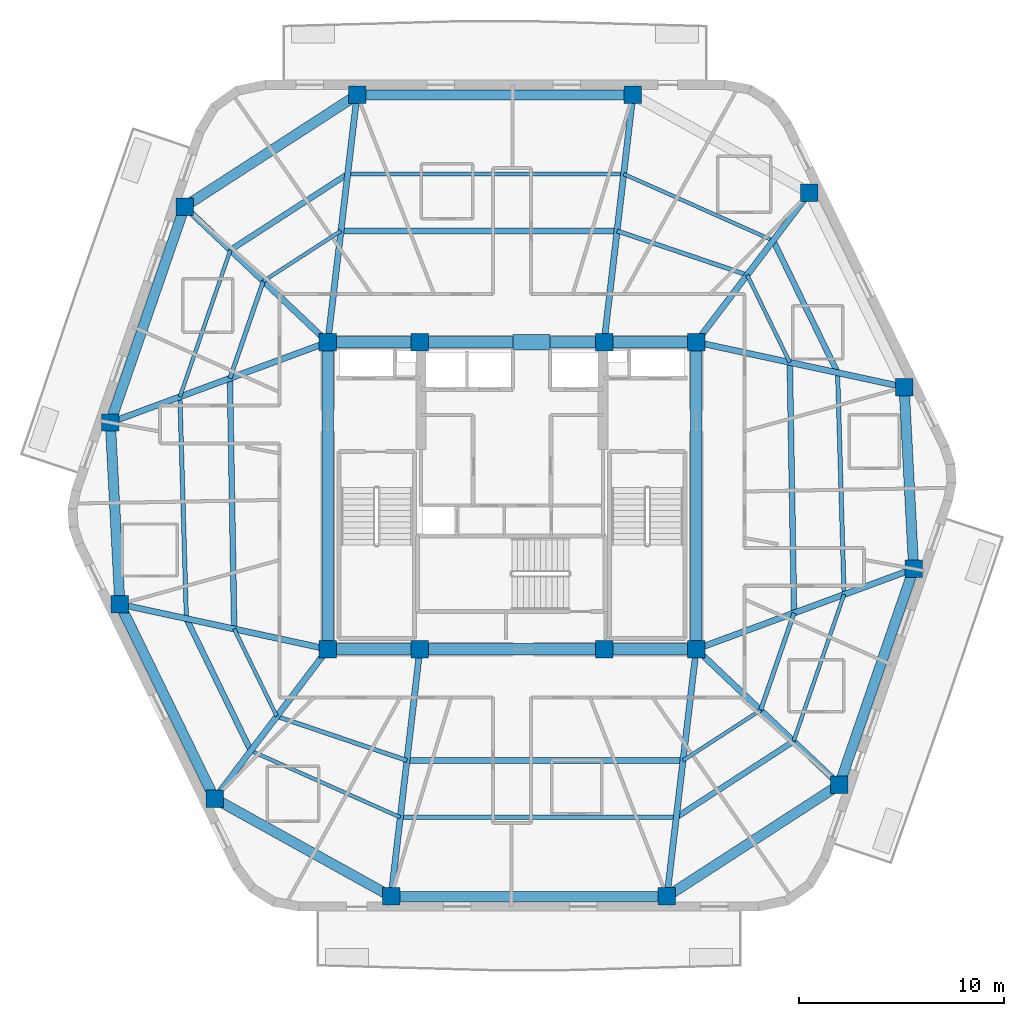
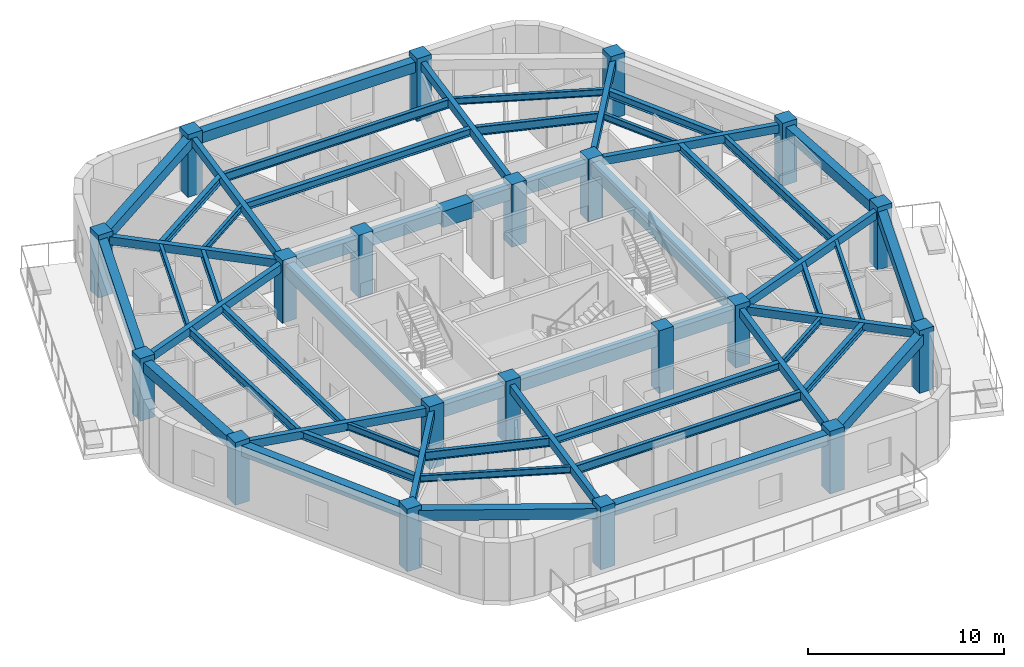
# One storey, part 1 of 9: 55 beams, 20 columns.
"""IFC4 building model written with IfcOpenShell, lengths in metres."""

from ifc_helpers import new_model, si_unit, direction, frame, origin, origin_2d, place, context, subcontext, project, spatial, rectangle, i_section, extrude, material, material_profile, profile_set, type_object, element, save


model = new_model("IFC4")

# Units and contexts
model_context = context("Model", 3, precision=1e-05, world=origin(), true_north=direction((0.0, 1.0)))
body_context = subcontext(model_context, "Body", "Model", "MODEL_VIEW")
ifc_project = project(units=[si_unit("LENGTHUNIT", "METRE"), si_unit("AREAUNIT", "SQUARE_METRE"), si_unit("VOLUMEUNIT", "CUBIC_METRE"), si_unit("PLANEANGLEUNIT", "RADIAN"), si_unit("MASSUNIT", "GRAM", prefix="KILO")], contexts=[model_context])

# Site, building, storey
site_placement = place(None, origin())
site = spatial("IfcSite", under=ifc_project, at=site_placement, CompositionType="ELEMENT")
building_placement = place(site_placement, origin())
building = spatial("IfcBuilding", under=site, at=building_placement, Name="Kilnhurst Terrace Hotel", CompositionType="ELEMENT")
storey_placement = place(building_placement, frame((0.0, 0.0, 261.300048828125)))
storey = spatial("IfcBuildingStorey", under=building, at=storey_placement, Name="L65", CompositionType="ELEMENT", Elevation=261.300048828125)

# Columns
ifc_material_1 = material(Name="Concrete C60/75", Category="concrete")
ifc_material_profile_1 = material_profile(ifc_material_1, rectangle(XDim=0.85009765625, YDim=0.85009765625, at=origin_2d()), Name="RC850X850")
ifc_profile_set_1 = profile_set([ifc_material_profile_1], Name="Concrete C60/75")
column_type = type_object("IfcColumnType", Name="COL-RC-850", PredefinedType="COLUMN", material=ifc_profile_set_1)
for number, where, z_axis, x_axis, name in (
    (1, (-9.0, -7.5, 0.0), (0.0, 0.0, 1.0), (1.0, 0.0, 0.0), "L65 Structural Column CC-SW"),
    (2, (-4.5, -7.5, 0.0), (0.0, 0.0, 1.0), (1.0, 0.0, 0.0), "L65 Structural Column CC-SC1"),
    (3, (4.5, -7.5, 0.0), (0.0, 0.0, 1.0), (1.0, 0.0, 0.0), "L65 Structural Column CC-SC2"),
    (4, (9.0, -7.5, 0.0), (0.0, 0.0, 1.0), (1.0, 0.0, 0.0), "L65 Structural Column CC-SE"),
    (5, (9.0, 7.5, 0.0), (0.0, 0.0, 1.0), (1.0, 0.0, 0.0), "L65 Structural Column CC-NE"),
    (6, (4.5, 7.5, 0.0), (0.0, 0.0, 1.0), (1.0, 0.0, 0.0), "L65 Structural Column CC-NC2"),
    (7, (-4.5, 7.5, 0.0), (0.0, 0.0, 1.0), (1.0, 0.0, 0.0), "L65 Structural Column CC-NC1"),
    (8, (-9.0, 7.5, 0.0), (0.0, 0.0, 1.0), (1.0, 0.0, 0.0), "L65 Structural Column CC-NW"),
    (9, (-5.907958984375, -19.580078125, 0.0), (0.0, 0.0, 1.0), (1.0, 0.0, 0.0), "L65 Structural Column PC-F11"),
    (10, (7.569091796875, -19.580078125, 0.0), (0.0, 0.0, 1.0), (1.0, 0.0, 0.0), "L65 Structural Column PC-F12"),
    (11, (15.9951171875, -14.12109375, 0.0), (0.0, 0.0, 1.0), (1.0, 0.0, 0.0), "L65 Structural Column PC-F21"),
    (12, (19.6240234375, -3.573974609375, 0.0), (0.0, 0.0, 1.0), (1.0, 0.0, 0.0), "L65 Structural Column PC-F22"),
    (13, (19.157958984375, 5.304931640625, 0.0), (0.0, 0.0, 1.0), (1.0, 0.0, 0.0), "L65 Structural Column PC-F31"),
    (14, (14.531005859375, 14.798095703125, 0.0), (0.0, 0.0, 1.0), (1.0, 0.0, 0.0), "L65 Structural Column PC-F32"),
    (15, (5.907958984375, 19.580078125, 0.0), (0.0, 0.0, 1.0), (1.0, 0.0, 0.0), "L65 Structural Column PC-F41"),
    (16, (-7.569091796875, 19.580078125, 0.0), (0.0, 0.0, 1.0), (1.0, 0.0, 0.0), "L65 Structural Column PC-F42"),
    (17, (-15.9951171875, 14.12109375, 0.0), (0.0, 0.0, 1.0), (1.0, 0.0, 0.0), "L65 Structural Column PC-F51"),
    (18, (-19.6240234375, 3.573974609375, 0.0), (0.0, 0.0, 1.0), (1.0, 0.0, 0.0), "L65 Structural Column PC-F52"),
    (19, (-19.157958984375, -5.304931640625, 0.0), (0.0, 0.0, 1.0), (1.0, 0.0, 0.0), "L65 Structural Column PC-F61"),
    (20, (-14.531005859375, -14.798095703125, 0.0), (0.0, 0.0, 1.0), (1.0, 0.0, 0.0), "L65 Structural Column PC-F62"),
):
    element("IfcColumn", number, at=place(storey_placement, frame(where, z_axis=z_axis, x_axis=x_axis)), inside=storey, type_object=column_type, Name=name, PredefinedType="COLUMN", context=body_context, shape_type="SweptSolid", body=[
        extrude(rectangle(XDim=0.85009765625, YDim=0.85009765625, at=origin_2d()), origin(), (0.0, 0.0, 1.0), 3.89990234375),
    ])

# Beams
ifc_material_2 = material(Name="Concrete C50/60", Category="concrete")
ifc_material_profile_2 = material_profile(ifc_material_2, rectangle(XDim=0.300048828125, YDim=0.5, at=origin_2d()), Name="RC300X500")
ifc_profile_set_2 = profile_set([ifc_material_profile_2], Name="Concrete C50/60")
beam_type_1 = type_object("IfcBeamType", Name="BM-RAD-300X500", PredefinedType="BEAM", material=ifc_profile_set_2)
beam_1_placement = place(storey_placement, frame((-4.5, -7.5, 3.349853515625), z_axis=(-0.115768472001, -0.993276225876, 0.0), x_axis=(0.993276225876, -0.115768472001, 0.0)))
element("IfcBeam", 21, at=beam_1_placement, inside=storey, type_object=beam_type_1, Name="L65 Radial Floor Beam 1", PredefinedType="BEAM", context=body_context, shape_type="SweptSolid", body=[
    extrude(rectangle(XDim=0.300048828125, YDim=0.5, at=origin_2d()), origin(), (0.0, 0.0, 1.0), 12.161865234375),
])
beam_2_placement = place(storey_placement, frame((9.0, -7.5, 3.349853515625), z_axis=(-0.117629552811, -0.993057545314, 0.0), x_axis=(0.993057545314, -0.117629552811, 0.0)))
element("IfcBeam", 22, at=beam_2_placement, inside=storey, type_object=beam_type_1, Name="L65 Radial Floor Beam 2", PredefinedType="BEAM", context=body_context, shape_type="SweptSolid", body=[
    extrude(rectangle(XDim=0.300048828125, YDim=0.5, at=origin_2d()), origin(), (0.0, 0.0, 1.0), 12.16455078125),
])
beam_3_placement = place(storey_placement, frame((9.0, -7.5, 3.349853515625), z_axis=(0.726256338973, -0.687423981326, 0.0), x_axis=(0.687423981326, 0.726256338973, 0.0)))
element("IfcBeam", 23, at=beam_3_placement, inside=storey, type_object=beam_type_1, Name="L65 Radial Floor Beam 3", PredefinedType="BEAM", context=body_context, shape_type="SweptSolid", body=[
    extrude(rectangle(XDim=0.300048828125, YDim=0.5, at=origin_2d()), origin(), (0.0, 0.0, 1.0), 9.6318359375),
])
beam_4_placement = place(storey_placement, frame((9.0, -7.5, 3.349853515625), z_axis=(0.938001507479, 0.3466311757, 0.0), x_axis=(-0.3466311757, 0.938001507479, 0.0)))
element("IfcBeam", 24, at=beam_4_placement, inside=storey, type_object=beam_type_1, Name="L65 Radial Floor Beam 4", PredefinedType="BEAM", context=body_context, shape_type="SweptSolid", body=[
    extrude(rectangle(XDim=0.300048828125, YDim=0.5, at=origin_2d()), origin(), (0.0, 0.0, 1.0), 11.326171875),
])
beam_5_placement = place(storey_placement, frame((9.0, 7.5, 3.349853515625), z_axis=(0.977438945995, -0.211218149913, 0.0), x_axis=(0.211218149913, 0.977438945995, 0.0)))
element("IfcBeam", 25, at=beam_5_placement, inside=storey, type_object=beam_type_1, Name="L65 Radial Floor Beam 5", PredefinedType="BEAM", context=body_context, shape_type="SweptSolid", body=[
    extrude(rectangle(XDim=0.300048828125, YDim=0.5, at=origin_2d()), origin(), (0.0, 0.0, 1.0), 10.392333984375),
])
beam_6_placement = place(storey_placement, frame((9.0, 7.5, 3.349853515625), z_axis=(0.604006537698, 0.79697936135, 0.0), x_axis=(-0.79697936135, 0.604006537698, 0.0)))
element("IfcBeam", 26, at=beam_6_placement, inside=storey, type_object=beam_type_1, Name="L65 Radial Floor Beam 6", PredefinedType="BEAM", context=body_context, shape_type="SweptSolid", body=[
    extrude(rectangle(XDim=0.300048828125, YDim=0.5, at=origin_2d()), origin(), (0.0, 0.0, 1.0), 9.1572265625),
])
beam_7_placement = place(storey_placement, frame((4.5, 7.5, 3.349853515625), z_axis=(0.115768472001, 0.993276225876, 0.0), x_axis=(-0.993276225876, 0.115768472001, 0.0)))
element("IfcBeam", 27, at=beam_7_placement, inside=storey, type_object=beam_type_1, Name="L65 Radial Floor Beam 7", PredefinedType="BEAM", context=body_context, shape_type="SweptSolid", body=[
    extrude(rectangle(XDim=0.300048828125, YDim=0.5, at=origin_2d()), origin(), (0.0, 0.0, 1.0), 12.161865234375),
])
beam_8_placement = place(storey_placement, frame((-9.0, 7.5, 3.349853515625), z_axis=(0.117629552811, 0.993057545314, 0.0), x_axis=(-0.993057545314, 0.117629552811, 0.0)))
element("IfcBeam", 28, at=beam_8_placement, inside=storey, type_object=beam_type_1, Name="L65 Radial Floor Beam 8", PredefinedType="BEAM", context=body_context, shape_type="SweptSolid", body=[
    extrude(rectangle(XDim=0.300048828125, YDim=0.5, at=origin_2d()), origin(), (0.0, 0.0, 1.0), 12.16455078125),
])
beam_9_placement = place(storey_placement, frame((-9.0, 7.5, 3.349853515625), z_axis=(-0.726256338973, 0.687423981326, 0.0), x_axis=(-0.687423981326, -0.726256338973, 0.0)))
element("IfcBeam", 29, at=beam_9_placement, inside=storey, type_object=beam_type_1, Name="L65 Radial Floor Beam 9", PredefinedType="BEAM", context=body_context, shape_type="SweptSolid", body=[
    extrude(rectangle(XDim=0.300048828125, YDim=0.5, at=origin_2d()), origin(), (0.0, 0.0, 1.0), 9.6318359375),
])
beam_10_placement = place(storey_placement, frame((-9.0, 7.5, 3.349853515625), z_axis=(-0.938001507479, -0.3466311757, 0.0), x_axis=(0.3466311757, -0.938001507479, 0.0)))
element("IfcBeam", 30, at=beam_10_placement, inside=storey, type_object=beam_type_1, Name="L65 Radial Floor Beam 10", PredefinedType="BEAM", context=body_context, shape_type="SweptSolid", body=[
    extrude(rectangle(XDim=0.300048828125, YDim=0.5, at=origin_2d()), origin(), (0.0, 0.0, 1.0), 11.326171875),
])
beam_11_placement = place(storey_placement, frame((-9.0, -7.5, 3.349853515625), z_axis=(-0.977438945995, 0.211218149913, 0.0), x_axis=(-0.211218149913, -0.977438945995, 0.0)))
element("IfcBeam", 31, at=beam_11_placement, inside=storey, type_object=beam_type_1, Name="L65 Radial Floor Beam 11", PredefinedType="BEAM", context=body_context, shape_type="SweptSolid", body=[
    extrude(rectangle(XDim=0.300048828125, YDim=0.5, at=origin_2d()), origin(), (0.0, 0.0, 1.0), 10.392333984375),
])
beam_12_placement = place(storey_placement, frame((-9.0, -7.5, 3.349853515625), z_axis=(-0.604006537698, -0.79697936135, 0.0), x_axis=(0.79697936135, -0.604006537698, 0.0)))
element("IfcBeam", 32, at=beam_12_placement, inside=storey, type_object=beam_type_1, Name="L65 Radial Floor Beam 12", PredefinedType="BEAM", context=body_context, shape_type="SweptSolid", body=[
    extrude(rectangle(XDim=0.300048828125, YDim=0.5, at=origin_2d()), origin(), (0.0, 0.0, 1.0), 9.1572265625),
])
ifc_material_profile_3 = material_profile(ifc_material_2, rectangle(XDim=0.5, YDim=0.64990234375, at=origin_2d()), Name="RC500X650")
ifc_profile_set_3 = profile_set([ifc_material_profile_3], Name="Concrete C50/60")
beam_type_2 = type_object("IfcBeamType", Name="BM-SPN-500X650", PredefinedType="SPANDREL", material=ifc_profile_set_3)
beam_13_placement = place(storey_placement, frame((-5.907958984375, -19.580078125, 3.27490234375), z_axis=(1.0, 0.0, 0.0), x_axis=(0.0, 1.0, 0.0)))
element("IfcBeam", 33, at=beam_13_placement, inside=storey, type_object=beam_type_2, Name="L65 Perimeter Spandrel Beam 1", PredefinedType="SPANDREL", context=body_context, shape_type="SweptSolid", body=[
    extrude(rectangle(XDim=0.5, YDim=0.64990234375, at=origin_2d()), origin(), (0.0, 0.0, 1.0), 13.47705078125),
])
beam_14_placement = place(storey_placement, frame((7.569091796875, -19.580078125, 3.27490234375), z_axis=(0.839258818809, 0.543732135386, 0.0), x_axis=(-0.543732135386, 0.839258818809, 0.0)))
element("IfcBeam", 34, at=beam_14_placement, inside=storey, type_object=beam_type_2, Name="L65 Perimeter Spandrel Beam 2", PredefinedType="SPANDREL", context=body_context, shape_type="SweptSolid", body=[
    extrude(rectangle(XDim=0.5, YDim=0.64990234375, at=origin_2d()), origin(), (0.0, 0.0, 1.0), 10.039794921875),
])
beam_15_placement = place(storey_placement, frame((15.9951171875, -14.12109375, 3.27490234375), z_axis=(0.325347079026, 0.945594669068, 0.0), x_axis=(-0.945594669068, 0.325347079026, 0.0)))
element("IfcBeam", 35, at=beam_15_placement, inside=storey, type_object=beam_type_2, Name="L65 Perimeter Spandrel Beam 3", PredefinedType="SPANDREL", context=body_context, shape_type="SweptSolid", body=[
    extrude(rectangle(XDim=0.5, YDim=0.64990234375, at=origin_2d()), origin(), (0.0, 0.0, 1.0), 11.154052734375),
])
beam_16_placement = place(storey_placement, frame((19.6240234375, -3.573974609375, 3.27490234375), z_axis=(-0.052419034962, 0.998625177318, 0.0), x_axis=(-0.998625177318, -0.052419034962, 0.0)))
element("IfcBeam", 36, at=beam_16_placement, inside=storey, type_object=beam_type_2, Name="L65 Perimeter Spandrel Beam 4", PredefinedType="SPANDREL", context=body_context, shape_type="SweptSolid", body=[
    extrude(rectangle(XDim=0.5, YDim=0.64990234375, at=origin_2d()), origin(), (0.0, 0.0, 1.0), 8.89111328125),
])
beam_17_placement = place(storey_placement, frame((5.907958984375, 19.580078125, 3.27490234375), z_axis=(-1.0, 0.0, 0.0), x_axis=(0.0, -1.0, 0.0)))
element("IfcBeam", 37, at=beam_17_placement, inside=storey, type_object=beam_type_2, Name="L65 Perimeter Spandrel Beam 7", PredefinedType="SPANDREL", context=body_context, shape_type="SweptSolid", body=[
    extrude(rectangle(XDim=0.5, YDim=0.64990234375, at=origin_2d()), origin(), (0.0, 0.0, 1.0), 13.47705078125),
])
beam_18_placement = place(storey_placement, frame((-7.569091796875, 19.580078125, 3.27490234375), z_axis=(-0.839258818809, -0.543732135386, 0.0), x_axis=(0.543732135386, -0.839258818809, 0.0)))
element("IfcBeam", 38, at=beam_18_placement, inside=storey, type_object=beam_type_2, Name="L65 Perimeter Spandrel Beam 8", PredefinedType="SPANDREL", context=body_context, shape_type="SweptSolid", body=[
    extrude(rectangle(XDim=0.5, YDim=0.64990234375, at=origin_2d()), origin(), (0.0, 0.0, 1.0), 10.039794921875),
])
beam_19_placement = place(storey_placement, frame((-15.9951171875, 14.12109375, 3.27490234375), z_axis=(-0.325347079026, -0.945594669068, 0.0), x_axis=(0.945594669068, -0.325347079026, 0.0)))
element("IfcBeam", 39, at=beam_19_placement, inside=storey, type_object=beam_type_2, Name="L65 Perimeter Spandrel Beam 9", PredefinedType="SPANDREL", context=body_context, shape_type="SweptSolid", body=[
    extrude(rectangle(XDim=0.5, YDim=0.64990234375, at=origin_2d()), origin(), (0.0, 0.0, 1.0), 11.154052734375),
])
beam_20_placement = place(storey_placement, frame((-19.6240234375, 3.573974609375, 3.27490234375), z_axis=(0.052419034962, -0.998625177318, 0.0), x_axis=(0.998625177318, 0.052419034962, 0.0)))
element("IfcBeam", 40, at=beam_20_placement, inside=storey, type_object=beam_type_2, Name="L65 Perimeter Spandrel Beam 10", PredefinedType="SPANDREL", context=body_context, shape_type="SweptSolid", body=[
    extrude(rectangle(XDim=0.5, YDim=0.64990234375, at=origin_2d()), origin(), (0.0, 0.0, 1.0), 8.89111328125),
])
beam_21_placement = place(storey_placement, frame((-19.157958984375, -5.304931640625, 3.27490234375), z_axis=(0.438128464895, -0.898912369616, 0.0), x_axis=(0.898912369616, 0.438128464895, 0.0)))
element("IfcBeam", 41, at=beam_21_placement, inside=storey, type_object=beam_type_2, Name="L65 Perimeter Spandrel Beam 11", PredefinedType="SPANDREL", context=body_context, shape_type="SweptSolid", body=[
    extrude(rectangle(XDim=0.5, YDim=0.64990234375, at=origin_2d()), origin(), (0.0, 0.0, 1.0), 10.560791015625),
])
beam_22_placement = place(storey_placement, frame((-14.531005859375, -14.798095703125, 3.27490234375), z_axis=(0.874527255888, -0.484976369227, 0.0), x_axis=(0.484976369227, 0.874527255888, 0.0)))
element("IfcBeam", 42, at=beam_22_placement, inside=storey, type_object=beam_type_2, Name="L65 Perimeter Spandrel Beam 12", PredefinedType="SPANDREL", context=body_context, shape_type="SweptSolid", body=[
    extrude(rectangle(XDim=0.5, YDim=0.64990234375, at=origin_2d()), origin(), (0.0, 0.0, 1.0), 9.8603515625),
])
ifc_material_profile_4 = material_profile(ifc_material_2, rectangle(XDim=0.550048828125, YDim=0.75, at=origin_2d()), Name="RC550X750")
ifc_profile_set_4 = profile_set([ifc_material_profile_4], Name="Concrete C50/60")
beam_type_3 = type_object("IfcBeamType", Name="BM-SPN-550X750", PredefinedType="SPANDREL", material=ifc_profile_set_4)
beam_23_placement = place(storey_placement, frame((-9.0, 7.5, 3.224853515625), z_axis=(1.0, 0.0, 0.0), x_axis=(0.0, 1.0, 0.0)))
element("IfcBeam", 43, at=beam_23_placement, inside=storey, type_object=beam_type_3, Name="L65 Core Tie Beam CC-NW to CC-NC1", PredefinedType="SPANDREL", context=body_context, shape_type="SweptSolid", body=[
    extrude(rectangle(XDim=0.550048828125, YDim=0.75, at=origin_2d()), origin(), (0.0, 0.0, 1.0), 4.5),
])
beam_24_placement = place(storey_placement, frame((-4.5, 7.5, 3.224853515625), z_axis=(1.0, 0.0, 0.0), x_axis=(0.0, 1.0, 0.0)))
element("IfcBeam", 44, at=beam_24_placement, inside=storey, type_object=beam_type_3, Name="L65 Core Tie Beam CC-NC1 to CC-NC2", PredefinedType="SPANDREL", context=body_context, shape_type="SweptSolid", body=[
    extrude(rectangle(XDim=0.550048828125, YDim=0.75, at=origin_2d()), origin(), (0.0, 0.0, 1.0), 9.0),
])
for number, where, z_axis, x_axis, name in (
    (45, (4.5, 7.5, 3.224853515625), (1.0, 0.0, 0.0), (0.0, 1.0, 0.0), "L65 Core Tie Beam CC-NC2 to CC-NE"),
    (46, (-9.0, -7.5, 3.224853515625), (1.0, 0.0, 0.0), (0.0, 1.0, 0.0), "L65 Core Tie Beam CC-SW to CC-SC1"),
):
    element("IfcBeam", number, at=place(storey_placement, frame(where, z_axis=z_axis, x_axis=x_axis)), inside=storey, type_object=beam_type_3, Name=name, PredefinedType="SPANDREL", context=body_context, shape_type="SweptSolid", body=[
        extrude(rectangle(XDim=0.550048828125, YDim=0.75, at=origin_2d()), origin(), (0.0, 0.0, 1.0), 4.5),
    ])
beam_25_placement = place(storey_placement, frame((-4.5, -7.5, 3.224853515625), z_axis=(1.0, 0.0, 0.0), x_axis=(0.0, 1.0, 0.0)))
element("IfcBeam", 47, at=beam_25_placement, inside=storey, type_object=beam_type_3, Name="L65 Core Tie Beam CC-SC1 to CC-SC2", PredefinedType="SPANDREL", context=body_context, shape_type="SweptSolid", body=[
    extrude(rectangle(XDim=0.550048828125, YDim=0.75, at=origin_2d()), origin(), (0.0, 0.0, 1.0), 9.0),
])
beam_26_placement = place(storey_placement, frame((4.5, -7.5, 3.224853515625), z_axis=(1.0, 0.0, 0.0), x_axis=(0.0, 1.0, 0.0)))
element("IfcBeam", 48, at=beam_26_placement, inside=storey, type_object=beam_type_3, Name="L65 Core Tie Beam CC-SC2 to CC-SE", PredefinedType="SPANDREL", context=body_context, shape_type="SweptSolid", body=[
    extrude(rectangle(XDim=0.550048828125, YDim=0.75, at=origin_2d()), origin(), (0.0, 0.0, 1.0), 4.5),
])
for number, where, z_axis, x_axis, name in (
    (49, (-9.0, -7.5, 3.224853515625), (0.0, 1.0, 0.0), (-1.0, 0.0, 0.0), "L65 Core Tie Beam CC-SW to CC-NW"),
    (50, (9.0, -7.5, 3.224853515625), (0.0, 1.0, 0.0), (-1.0, 0.0, 0.0), "L65 Core Tie Beam CC-SE to CC-NE"),
):
    element("IfcBeam", number, at=place(storey_placement, frame(where, z_axis=z_axis, x_axis=x_axis)), inside=storey, type_object=beam_type_3, Name=name, PredefinedType="SPANDREL", context=body_context, shape_type="SweptSolid", body=[
        extrude(rectangle(XDim=0.550048828125, YDim=0.75, at=origin_2d()), origin(), (0.0, 0.0, 1.0), 15.0),
    ])
ifc_material_3 = material(Name="Steel ASTM A992 Grade 50", Category="steel")
ifc_material_profile_5 = material_profile(ifc_material_3, i_section(OverallWidth=0.180908203125, OverallDepth=0.417236328125, WebThickness=0.010986328125, FlangeThickness=0.018310546875, at=origin_2d()), Name="W16X57")
ifc_profile_set_5 = profile_set([ifc_material_profile_5], Name="Steel ASTM A992 Grade 50")
beam_type_4 = type_object("IfcBeamType", Name="JST-STL-W16X57", PredefinedType="JOIST", material=ifc_profile_set_5)
beam_27_placement = place(storey_placement, frame((13.756591796875, -12.002197265625, 3.390869140625), z_axis=(0.325367628202, 0.945587598543, 0.0), x_axis=(-0.945587598543, 0.325367628202, 0.0)))
element("IfcBeam", 51, at=beam_27_placement, inside=storey, type_object=beam_type_4, Name="L65 Secondary Floor Steel Joist OUT.3", PredefinedType="JOIST", context=body_context, shape_type="SweptSolid", body=[
    extrude(i_section(OverallWidth=0.180908203125, OverallDepth=0.417236328125, WebThickness=0.010986328125, FlangeThickness=0.018310546875, at=origin_2d()), origin(), (0.0, 0.0, 1.0), 7.58447265625),
])
beam_28_placement = place(storey_placement, frame((12.760986328125, 12.462646484375, 3.390869140625), z_axis=(-0.913545640569, 0.406736232216, 0.0), x_axis=(-0.406736232216, -0.913545640569, 0.0)))
element("IfcBeam", 52, at=beam_28_placement, inside=storey, type_object=beam_type_4, Name="L65 Secondary Floor Steel Joist OUT.6", PredefinedType="JOIST", context=body_context, shape_type="SweptSolid", body=[
    extrude(i_section(OverallWidth=0.180908203125, OverallDepth=0.417236328125, WebThickness=0.010986328125, FlangeThickness=0.018310546875, at=origin_2d()), origin(), (0.0, 0.0, 1.0), 7.99462890625),
])
beam_29_placement = place(storey_placement, frame((-13.756591796875, 12.002197265625, 3.390869140625), z_axis=(-0.325367628202, -0.945587598543, 0.0), x_axis=(0.945587598543, -0.325367628202, 0.0)))
element("IfcBeam", 53, at=beam_29_placement, inside=storey, type_object=beam_type_4, Name="L65 Secondary Floor Steel Joist OUT.9", PredefinedType="JOIST", context=body_context, shape_type="SweptSolid", body=[
    extrude(i_section(OverallWidth=0.180908203125, OverallDepth=0.417236328125, WebThickness=0.010986328125, FlangeThickness=0.018310546875, at=origin_2d()), origin(), (0.0, 0.0, 1.0), 7.58447265625),
])
beam_30_placement = place(storey_placement, frame((-12.760986328125, -12.462646484375, 3.390869140625), z_axis=(0.913545640569, -0.406736232216, 0.0), x_axis=(0.406736232216, 0.913545640569, 0.0)))
element("IfcBeam", 54, at=beam_30_placement, inside=storey, type_object=beam_type_4, Name="L65 Secondary Floor Steel Joist OUT.12", PredefinedType="JOIST", context=body_context, shape_type="SweptSolid", body=[
    extrude(i_section(OverallWidth=0.180908203125, OverallDepth=0.417236328125, WebThickness=0.010986328125, FlangeThickness=0.018310546875, at=origin_2d()), origin(), (0.0, 0.0, 1.0), 7.99462890625),
])
beam_31_placement = place(storey_placement, frame((8.35595703125, -12.93603515625, 3.390869140625), z_axis=(0.839261215199, 0.543728436503, 0.0), x_axis=(-0.543728436503, 0.839261215199, 0.0)))
element("IfcBeam", 55, at=beam_31_placement, inside=storey, type_object=beam_type_4, Name="L65 Secondary Floor Steel Joist IN.2", PredefinedType="JOIST", context=body_context, shape_type="SweptSolid", body=[
    extrude(i_section(OverallWidth=0.180908203125, OverallDepth=0.417236328125, WebThickness=0.010986328125, FlangeThickness=0.018310546875, at=origin_2d()), origin(), (0.0, 0.0, 1.0), 4.51806640625),
])
beam_32_placement = place(storey_placement, frame((13.571044921875, 6.51220703125, 3.390869140625), z_axis=(-0.438107813647, 0.898922434708, 0.0), x_axis=(-0.898922434708, -0.438107813647, 0.0)))
element("IfcBeam", 56, at=beam_32_placement, inside=storey, type_object=beam_type_4, Name="L65 Secondary Floor Steel Joist IN.5", PredefinedType="JOIST", context=body_context, shape_type="SweptSolid", body=[
    extrude(i_section(OverallWidth=0.180908203125, OverallDepth=0.417236328125, WebThickness=0.010986328125, FlangeThickness=0.018310546875, at=origin_2d()), origin(), (0.0, 0.0, 1.0), 4.75244140625),
])
beam_33_placement = place(storey_placement, frame((-8.35595703125, 12.93603515625, 3.390869140625), z_axis=(-0.839261215199, -0.543728436503, 0.0), x_axis=(0.543728436503, -0.839261215199, 0.0)))
element("IfcBeam", 57, at=beam_33_placement, inside=storey, type_object=beam_type_4, Name="L65 Secondary Floor Steel Joist IN.8", PredefinedType="JOIST", context=body_context, shape_type="SweptSolid", body=[
    extrude(i_section(OverallWidth=0.180908203125, OverallDepth=0.417236328125, WebThickness=0.010986328125, FlangeThickness=0.018310546875, at=origin_2d()), origin(), (0.0, 0.0, 1.0), 4.51806640625),
])
beam_34_placement = place(storey_placement, frame((-13.571044921875, -6.51220703125, 3.390869140625), z_axis=(0.438107813647, -0.898922434708, 0.0), x_axis=(0.898922434708, 0.438107813647, 0.0)))
element("IfcBeam", 58, at=beam_34_placement, inside=storey, type_object=beam_type_4, Name="L65 Secondary Floor Steel Joist IN.11", PredefinedType="JOIST", context=body_context, shape_type="SweptSolid", body=[
    extrude(i_section(OverallWidth=0.180908203125, OverallDepth=0.417236328125, WebThickness=0.010986328125, FlangeThickness=0.018310546875, at=origin_2d()), origin(), (0.0, 0.0, 1.0), 4.75244140625),
])
ifc_material_profile_6 = material_profile(ifc_material_3, i_section(OverallWidth=0.279296875, OverallDepth=0.462890625, WebThickness=0.0107421875, FlangeThickness=0.017333984375, at=origin_2d()), Name="W18X76")
ifc_profile_set_6 = profile_set([ifc_material_profile_6], Name="Steel ASTM A992 Grade 50")
beam_type_5 = type_object("IfcBeamType", Name="JST-STL-W18X76", PredefinedType="JOIST", material=ifc_profile_set_6)
beam_35_placement = place(storey_placement, frame((8.02685546875, -15.71435546875, 3.367919921875), z_axis=(0.839257246669, 0.543734562001, 0.0), x_axis=(-0.543734562001, 0.839257246669, 0.0)))
element("IfcBeam", 59, at=beam_35_placement, inside=storey, type_object=beam_type_5, Name="L65 Secondary Floor Steel Joist OUT.2", PredefinedType="JOIST", context=body_context, shape_type="SweptSolid", body=[
    extrude(i_section(OverallWidth=0.279296875, OverallDepth=0.462890625, WebThickness=0.0107421875, FlangeThickness=0.017333984375, at=origin_2d()), origin(), (0.0, 0.0, 1.0), 6.8271484375),
])
beam_36_placement = place(storey_placement, frame((15.907470703125, 6.00732421875, 3.367919921875), z_axis=(-0.438147652742, 0.898903017237, 0.0), x_axis=(-0.898903017237, -0.438147652742, 0.0)))
element("IfcBeam", 60, at=beam_36_placement, inside=storey, type_object=beam_type_5, Name="L65 Secondary Floor Steel Joist OUT.5", PredefinedType="JOIST", context=body_context, shape_type="SweptSolid", body=[
    extrude(i_section(OverallWidth=0.279296875, OverallDepth=0.462890625, WebThickness=0.0107421875, FlangeThickness=0.017333984375, at=origin_2d()), origin(), (0.0, 0.0, 1.0), 7.181396484375),
])
beam_37_placement = place(storey_placement, frame((-8.02685546875, 15.71435546875, 3.367919921875), z_axis=(-0.839257246669, -0.543734562001, 0.0), x_axis=(0.543734562001, -0.839257246669, 0.0)))
element("IfcBeam", 61, at=beam_37_placement, inside=storey, type_object=beam_type_5, Name="L65 Secondary Floor Steel Joist OUT.8", PredefinedType="JOIST", context=body_context, shape_type="SweptSolid", body=[
    extrude(i_section(OverallWidth=0.279296875, OverallDepth=0.462890625, WebThickness=0.0107421875, FlangeThickness=0.017333984375, at=origin_2d()), origin(), (0.0, 0.0, 1.0), 6.8271484375),
])
beam_38_placement = place(storey_placement, frame((-15.907470703125, -6.00732421875, 3.367919921875), z_axis=(0.438147652742, -0.898903017237, 0.0), x_axis=(0.898903017237, 0.438147652742, 0.0)))
element("IfcBeam", 62, at=beam_38_placement, inside=storey, type_object=beam_type_5, Name="L65 Secondary Floor Steel Joist OUT.11", PredefinedType="JOIST", context=body_context, shape_type="SweptSolid", body=[
    extrude(i_section(OverallWidth=0.279296875, OverallDepth=0.462890625, WebThickness=0.0107421875, FlangeThickness=0.017333984375, at=origin_2d()), origin(), (0.0, 0.0, 1.0), 7.181396484375),
])
beam_39_placement = place(storey_placement, frame((-5.133544921875, -12.93603515625, 3.367919921875), z_axis=(1.0, 0.0, 0.0), x_axis=(0.0, 1.0, 0.0)))
element("IfcBeam", 63, at=beam_39_placement, inside=storey, type_object=beam_type_5, Name="L65 Secondary Floor Steel Joist IN.1", PredefinedType="JOIST", context=body_context, shape_type="SweptSolid", body=[
    extrude(i_section(OverallWidth=0.279296875, OverallDepth=0.462890625, WebThickness=0.0107421875, FlangeThickness=0.017333984375, at=origin_2d()), origin(), (0.0, 0.0, 1.0), 13.489501953125),
])
beam_40_placement = place(storey_placement, frame((13.78076171875, -5.7333984375, 3.367919921875), z_axis=(-0.01712337129, 0.99985338433, 0.0), x_axis=(-0.99985338433, -0.01712337129, 0.0)))
element("IfcBeam", 64, at=beam_40_placement, inside=storey, type_object=beam_type_5, Name="L65 Secondary Floor Steel Joist IN.4", PredefinedType="JOIST", context=body_context, shape_type="SweptSolid", body=[
    extrude(i_section(OverallWidth=0.279296875, OverallDepth=0.462890625, WebThickness=0.0107421875, FlangeThickness=0.017333984375, at=origin_2d()), origin(), (0.0, 0.0, 1.0), 12.247314453125),
])
beam_41_placement = place(storey_placement, frame((5.133544921875, 12.93603515625, 3.367919921875), z_axis=(-1.0, 0.0, 0.0), x_axis=(0.0, -1.0, 0.0)))
element("IfcBeam", 65, at=beam_41_placement, inside=storey, type_object=beam_type_5, Name="L65 Secondary Floor Steel Joist IN.7", PredefinedType="JOIST", context=body_context, shape_type="SweptSolid", body=[
    extrude(i_section(OverallWidth=0.279296875, OverallDepth=0.462890625, WebThickness=0.0107421875, FlangeThickness=0.017333984375, at=origin_2d()), origin(), (0.0, 0.0, 1.0), 13.489501953125),
])
beam_42_placement = place(storey_placement, frame((-13.78076171875, 5.7333984375, 3.367919921875), z_axis=(0.01712337129, -0.99985338433, 0.0), x_axis=(0.99985338433, 0.01712337129, 0.0)))
element("IfcBeam", 66, at=beam_42_placement, inside=storey, type_object=beam_type_5, Name="L65 Secondary Floor Steel Joist IN.10", PredefinedType="JOIST", context=body_context, shape_type="SweptSolid", body=[
    extrude(i_section(OverallWidth=0.279296875, OverallDepth=0.462890625, WebThickness=0.0107421875, FlangeThickness=0.017333984375, at=origin_2d()), origin(), (0.0, 0.0, 1.0), 12.247314453125),
])
ifc_material_profile_7 = material_profile(ifc_material_3, i_section(OverallWidth=0.2138671875, OverallDepth=0.549072265625, WebThickness=0.0146484375, FlangeThickness=0.023681640625, at=origin_2d()), Name="W21X93")
ifc_profile_set_7 = profile_set([ifc_material_profile_7], Name="Steel ASTM A992 Grade 50")
beam_type_6 = type_object("IfcBeamType", Name="JST-STL-W21X93", PredefinedType="JOIST", material=ifc_profile_set_7)
beam_43_placement = place(storey_placement, frame((-5.45751953125, -15.71435546875, 3.324951171875), z_axis=(1.0, 0.0, 0.0), x_axis=(0.0, 1.0, 0.0)))
element("IfcBeam", 67, at=beam_43_placement, inside=storey, type_object=beam_type_6, Name="L65 Secondary Floor Steel Joist OUT.1", PredefinedType="JOIST", context=body_context, shape_type="SweptSolid", body=[
    extrude(i_section(OverallWidth=0.2138671875, OverallDepth=0.549072265625, WebThickness=0.0146484375, FlangeThickness=0.023681640625, at=origin_2d()), origin(), (0.0, 0.0, 1.0), 13.484375),
])
beam_44_placement = place(storey_placement, frame((16.224365234375, -4.830322265625, 3.324951171875), z_axis=(-0.029227669324, 0.999572780415, 0.0), x_axis=(-0.999572780415, -0.029227669324, 0.0)))
element("IfcBeam", 68, at=beam_44_placement, inside=storey, type_object=beam_type_6, Name="L65 Secondary Floor Steel Joist OUT.4", PredefinedType="JOIST", context=body_context, shape_type="SweptSolid", body=[
    extrude(i_section(OverallWidth=0.2138671875, OverallDepth=0.549072265625, WebThickness=0.0146484375, FlangeThickness=0.023681640625, at=origin_2d()), origin(), (0.0, 0.0, 1.0), 10.84228515625),
])
beam_45_placement = place(storey_placement, frame((5.45751953125, 15.71435546875, 3.324951171875), z_axis=(-1.0, 0.0, 0.0), x_axis=(0.0, -1.0, 0.0)))
element("IfcBeam", 69, at=beam_45_placement, inside=storey, type_object=beam_type_6, Name="L65 Secondary Floor Steel Joist OUT.7", PredefinedType="JOIST", context=body_context, shape_type="SweptSolid", body=[
    extrude(i_section(OverallWidth=0.2138671875, OverallDepth=0.549072265625, WebThickness=0.0146484375, FlangeThickness=0.023681640625, at=origin_2d()), origin(), (0.0, 0.0, 1.0), 13.484375),
])
beam_46_placement = place(storey_placement, frame((-16.224365234375, 4.830322265625, 3.324951171875), z_axis=(0.029227669324, -0.999572780415, 0.0), x_axis=(0.999572780415, 0.029227669324, 0.0)))
element("IfcBeam", 70, at=beam_46_placement, inside=storey, type_object=beam_type_6, Name="L65 Secondary Floor Steel Joist OUT.10", PredefinedType="JOIST", context=body_context, shape_type="SweptSolid", body=[
    extrude(i_section(OverallWidth=0.2138671875, OverallDepth=0.549072265625, WebThickness=0.0146484375, FlangeThickness=0.023681640625, at=origin_2d()), origin(), (0.0, 0.0, 1.0), 10.84228515625),
])
beam_47_placement = place(storey_placement, frame((12.147705078125, -10.4794921875, 3.324951171875), z_axis=(0.325362511486, 0.94558935914, 0.0), x_axis=(-0.94558935914, 0.325362511486, 0.0)))
element("IfcBeam", 71, at=beam_47_placement, inside=storey, type_object=beam_type_6, Name="L65 Secondary Floor Steel Joist IN.3", PredefinedType="JOIST", context=body_context, shape_type="SweptSolid", body=[
    extrude(i_section(OverallWidth=0.2138671875, OverallDepth=0.549072265625, WebThickness=0.0146484375, FlangeThickness=0.023681640625, at=origin_2d()), origin(), (0.0, 0.0, 1.0), 5.019287109375),
])
beam_48_placement = place(storey_placement, frame((11.489013671875, 10.7841796875, 3.324951171875), z_axis=(-0.947180946302, 0.320699633555, 0.0), x_axis=(-0.320699633555, -0.947180946302, 0.0)))
element("IfcBeam", 72, at=beam_48_placement, inside=storey, type_object=beam_type_6, Name="L65 Secondary Floor Steel Joist IN.6", PredefinedType="JOIST", context=body_context, shape_type="SweptSolid", body=[
    extrude(i_section(OverallWidth=0.2138671875, OverallDepth=0.549072265625, WebThickness=0.0146484375, FlangeThickness=0.023681640625, at=origin_2d()), origin(), (0.0, 0.0, 1.0), 6.7099609375),
])
beam_49_placement = place(storey_placement, frame((-12.147705078125, 10.4794921875, 3.324951171875), z_axis=(-0.325362511486, -0.94558935914, 0.0), x_axis=(0.94558935914, -0.325362511486, 0.0)))
element("IfcBeam", 73, at=beam_49_placement, inside=storey, type_object=beam_type_6, Name="L65 Secondary Floor Steel Joist IN.9", PredefinedType="JOIST", context=body_context, shape_type="SweptSolid", body=[
    extrude(i_section(OverallWidth=0.2138671875, OverallDepth=0.549072265625, WebThickness=0.0146484375, FlangeThickness=0.023681640625, at=origin_2d()), origin(), (0.0, 0.0, 1.0), 5.019287109375),
])
beam_50_placement = place(storey_placement, frame((-11.489013671875, -10.7841796875, 3.324951171875), z_axis=(0.947180946302, -0.320699633555, 0.0), x_axis=(0.320699633555, 0.947180946302, 0.0)))
element("IfcBeam", 74, at=beam_50_placement, inside=storey, type_object=beam_type_6, Name="L65 Secondary Floor Steel Joist IN.12", PredefinedType="JOIST", context=body_context, shape_type="SweptSolid", body=[
    extrude(i_section(OverallWidth=0.2138671875, OverallDepth=0.549072265625, WebThickness=0.0146484375, FlangeThickness=0.023681640625, at=origin_2d()), origin(), (0.0, 0.0, 1.0), 6.7099609375),
])
ifc_material_profile_8 = material_profile(ifc_material_1, rectangle(XDim=0.75, YDim=1.0, at=origin_2d()), Name="RC750X1000")
ifc_profile_set_8 = profile_set([ifc_material_profile_8], Name="Concrete C60/75")
beam_type_7 = type_object("IfcBeamType", Name="LNT-CB-750X1000", PredefinedType="LINTEL", material=ifc_profile_set_8)
beam_51_placement = place(storey_placement, frame((0.050048828125, 7.5, 3.099853515625), z_axis=(1.0, 0.0, 0.0), x_axis=(0.0, 1.0, 0.0)))
element("IfcBeam", 75, at=beam_51_placement, inside=storey, type_object=beam_type_7, Name="L65 North Core Coupling Link Beam", PredefinedType="LINTEL", context=body_context, shape_type="SweptSolid", body=[
    extrude(rectangle(XDim=0.75, YDim=1.0, at=origin_2d()), origin(), (0.0, 0.0, 1.0), 1.800048828125),
])

save(model, "model.ifc")
